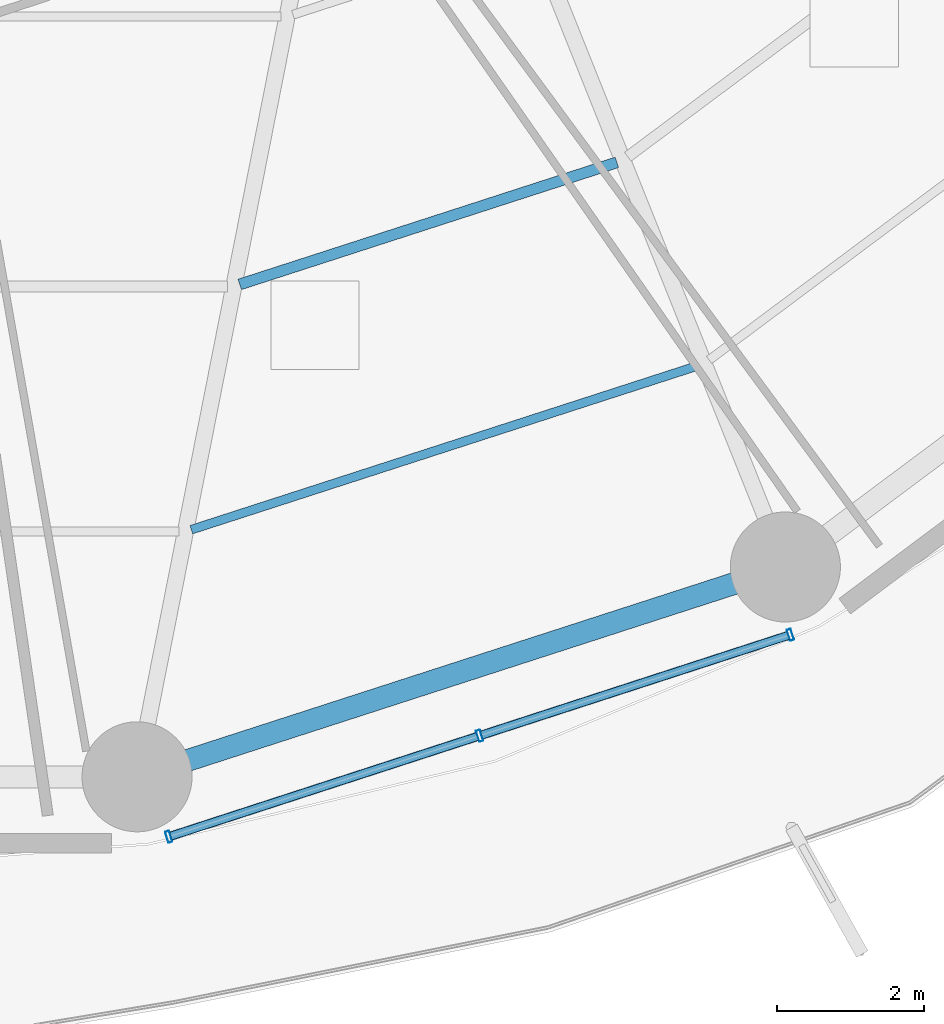
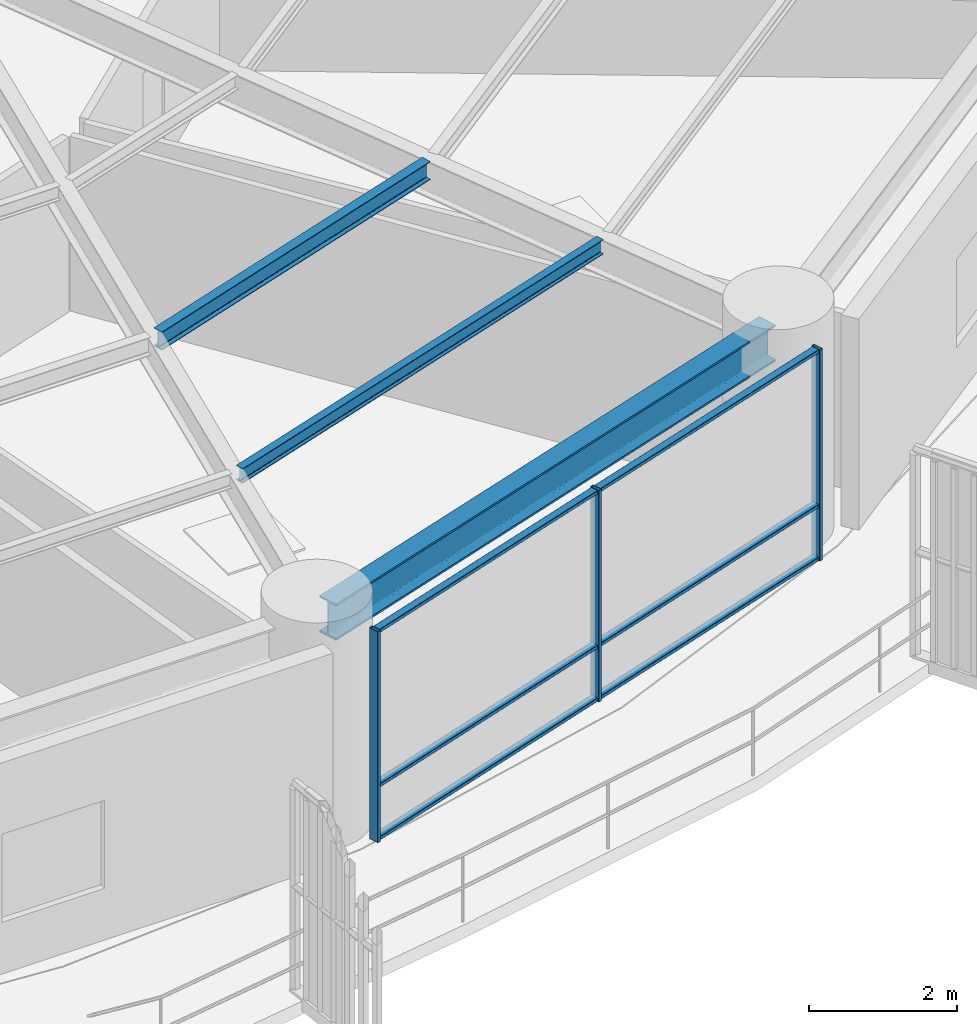
# One storey, part 8 of 34: 9 members, 3 beams, 1 element without a shape of its own.
"""IFC4 building model written with IfcOpenShell, lengths in metres."""

from ifc_helpers import new_model, si_unit, direction, frame, origin, origin_2d, place, context, subcontext, project, spatial, hollow_rectangle, i_section, extrude, material, layer, layer_set, material_profile, profile_set, type_object, element, aggregate, save


model = new_model("IFC4")

# Units and contexts
model_context = context("Model", 3, precision=1e-05, world=origin(), true_north=direction((0.0, 1.0)))
body_context = subcontext(model_context, "Body", "Model", "MODEL_VIEW")
ifc_project = project(units=[si_unit("LENGTHUNIT", "METRE"), si_unit("AREAUNIT", "SQUARE_METRE"), si_unit("VOLUMEUNIT", "CUBIC_METRE"), si_unit("PLANEANGLEUNIT", "RADIAN"), si_unit("MASSUNIT", "GRAM", prefix="KILO")], contexts=[model_context])

# Site, building, storey
site_placement = place(None, origin())
site = spatial("IfcSite", under=ifc_project, at=site_placement, CompositionType="ELEMENT")
building_placement = place(site_placement, origin())
building = spatial("IfcBuilding", under=site, at=building_placement, Name="Kelanora Arch Commons", CompositionType="ELEMENT")
storey_placement = place(building_placement, frame((0.0, 0.0, 33.75)))
storey = spatial("IfcBuildingStorey", under=building, at=storey_placement, Name="L08", CompositionType="ELEMENT", Elevation=33.75)

# Beams
ifc_material_1 = material(Name="Steel S355", Category="steel")
ifc_material_profile_1 = material_profile(ifc_material_1, i_section(OverallWidth=0.14990234375, OverallDepth=0.300048828125, WebThickness=0.007080078125, FlangeThickness=0.0107421875, FilletRadius=0.014892578125, at=origin_2d()), Name="IPE300")
ifc_profile_set_1 = profile_set([ifc_material_profile_1], Name="Steel S355")
beam_type_1 = type_object("IfcBeamType", Name="BM-JST-01", PredefinedType="JOIST", material=ifc_profile_set_1)
beam_1_placement = place(storey_placement, frame((80.102294921875, 40.997802734375, 3.340087890625), z_axis=(0.951412209627, 0.307920131482, 0.0), x_axis=(-0.307920131482, 0.951412209627, 0.0)))
element("IfcBeam", 1, at=beam_1_placement, inside=storey, type_object=beam_type_1, Name="Secondary Chord Joist BJB-28 L08", PredefinedType="JOIST", context=body_context, shape_type="SweptSolid", body=[
    extrude(i_section(OverallWidth=0.14990234375, OverallDepth=0.300048828125, WebThickness=0.007080078125, FlangeThickness=0.0107421875, FilletRadius=0.014892578125, at=origin_2d()), origin(), (0.0, 0.0, 1.0), 5.4033203125),
])
ifc_material_profile_2 = material_profile(ifc_material_1, i_section(OverallWidth=0.1201171875, OverallDepth=0.239990234375, WebThickness=0.006103515625, FlangeThickness=0.009765625, FilletRadius=0.014892578125, at=origin_2d()), Name="IPE240")
ifc_profile_set_2 = profile_set([ifc_material_profile_2], Name="Steel S355")
beam_type_2 = type_object("IfcBeamType", Name="BM-JST-02", PredefinedType="JOIST", material=ifc_profile_set_2)
beam_2_placement = place(storey_placement, frame((79.44287109375, 37.65478515625, 3.3701171875), z_axis=(0.951410915705, 0.307924129418, 0.0), x_axis=(-0.307924129418, 0.951410915705, 0.0)))
element("IfcBeam", 2, at=beam_2_placement, inside=storey, type_object=beam_type_2, Name="Secondary Chord Joist BJC-28 L08", PredefinedType="JOIST", context=body_context, shape_type="SweptSolid", body=[
    extrude(i_section(OverallWidth=0.1201171875, OverallDepth=0.239990234375, WebThickness=0.006103515625, FlangeThickness=0.009765625, FilletRadius=0.014892578125, at=origin_2d()), origin(), (0.0, 0.0, 1.0), 7.260986328125),
])
ifc_material_profile_3 = material_profile(ifc_material_1, i_section(OverallWidth=0.300048828125, OverallDepth=0.60009765625, WebThickness=0.015380859375, FlangeThickness=0.030029296875, FilletRadius=0.027099609375, at=origin_2d()), Name="HEB600")
ifc_profile_set_3 = profile_set([ifc_material_profile_3], Name="Steel S355")
beam_type_3 = type_object("IfcBeamType", Name="BM-SPN-Z1", PredefinedType="SPANDREL", material=ifc_profile_set_3)
beam_3_placement = place(storey_placement, frame((78.91162109375, 34.353515625, 3.18994140625), z_axis=(0.951411479564, 0.307922387224, 0.0), x_axis=(-0.307922387224, 0.951411479564, 0.0)))
element("IfcBeam", 3, at=beam_3_placement, inside=storey, type_object=beam_type_3, Name="Perimeter Spandrel Beam BS-28 L08", PredefinedType="SPANDREL", context=body_context, shape_type="SweptSolid", body=[
    extrude(i_section(OverallWidth=0.300048828125, OverallDepth=0.60009765625, WebThickness=0.015380859375, FlangeThickness=0.030029296875, FilletRadius=0.027099609375, at=origin_2d()), origin(), (0.0, 0.0, 1.0), 8.84912109375),
])

# Curtain wall, members
ifc_material_2 = material(Name="Terracotta ceramic-fritted low-E glass and aluminium", Category="masonry")
ifc_layer = layer(ifc_material_2, 0.159912109375)
ifc_layer_set = layer_set([ifc_layer], Name="Terracotta ceramic-fritted low-E glass and aluminium")
curtain_wall_type = type_object("IfcCurtainWallType", Name="CW-SYS-01", PredefinedType="NOTDEFINED", material=ifc_layer_set)
curtain_wall_placement = place(storey_placement, origin())
curtain_wall = element("IfcCurtainWall", 4, at=curtain_wall_placement, inside=storey, type_object=curtain_wall_type, Name="Unitised Curtain Wall L08-B14", PredefinedType="NOTDEFINED")
ifc_material_3 = material(Name="Powder-coated aluminium terracotta", Category="masonry")
ifc_material_profile_4 = material_profile(ifc_material_3, hollow_rectangle(XDim=0.159912109375, YDim=0.06005859375, WallThickness=0.0048828125, InnerFilletRadius=0.0048828125, OuterFilletRadius=0.010009765625, at=origin_2d()), Name="CWM160x60")
ifc_profile_set_4 = profile_set([ifc_material_profile_4], Name="Powder-coated aluminium terracotta")
member_type_1 = type_object("IfcMemberType", Name="CWM-STD", PredefinedType="MULLION", material=ifc_profile_set_4)
member_1_placement = place(storey_placement, frame((79.134521484375, 33.46826171875, 0.0), z_axis=(0.0, 0.0, 1.0), x_axis=(-0.30905758454, 0.951043326793, 0.0)))
member_1 = element("IfcMember", 5, at=member_1_placement, type_object=member_type_1, Name="CW-01 mullion 1", PredefinedType="MULLION", context=body_context, shape_type="SweptSolid", body=[
    extrude(hollow_rectangle(XDim=0.159912109375, YDim=0.06005859375, WallThickness=0.0048828125, InnerFilletRadius=0.0048828125, OuterFilletRadius=0.010009765625, at=origin_2d()), origin(), (0.0, 0.0, 1.0), 3.47509765625),
])
member_2_placement = place(storey_placement, frame((83.37109375, 34.84521484375, 0.0), z_axis=(0.0, 0.0, 1.0), x_axis=(-0.30905758454, 0.951043326793, 0.0)))
member_2 = element("IfcMember", 6, at=member_2_placement, type_object=member_type_1, Name="CW-01 mullion 2", PredefinedType="MULLION", context=body_context, shape_type="SweptSolid", body=[
    extrude(hollow_rectangle(XDim=0.159912109375, YDim=0.06005859375, WallThickness=0.0048828125, InnerFilletRadius=0.0048828125, OuterFilletRadius=0.010009765625, at=origin_2d()), origin(), (0.0, 0.0, 1.0), 3.47509765625),
])
member_3_placement = place(storey_placement, frame((87.607666015625, 36.221923828125, 0.0), z_axis=(0.0, 0.0, 1.0), x_axis=(-0.30905758454, 0.951043326793, 0.0)))
member_3 = element("IfcMember", 7, at=member_3_placement, type_object=member_type_1, Name="CW-01 mullion 3", PredefinedType="MULLION", context=body_context, shape_type="SweptSolid", body=[
    extrude(hollow_rectangle(XDim=0.159912109375, YDim=0.06005859375, WallThickness=0.0048828125, InnerFilletRadius=0.0048828125, OuterFilletRadius=0.010009765625, at=origin_2d()), origin(), (0.0, 0.0, 1.0), 3.47509765625),
])
ifc_material_profile_5 = material_profile(ifc_material_3, hollow_rectangle(XDim=0.1201171875, YDim=0.06005859375, WallThickness=0.0048828125, InnerFilletRadius=0.0048828125, OuterFilletRadius=0.010009765625, at=origin_2d()), Name="CWT120x60")
ifc_profile_set_5 = profile_set([ifc_material_profile_5], Name="Powder-coated aluminium terracotta")
member_type_2 = type_object("IfcMemberType", Name="CWT-STD", PredefinedType="USERDEFINED", material=ifc_profile_set_5)
member_4_placement = place(storey_placement, frame((79.1630859375, 33.4775390625, 0.030029296875), z_axis=(0.951028761285, 0.309102402464, 0.0), x_axis=(-0.309102402464, 0.951028761285, 0.0)))
member_4 = element("IfcMember", 8, at=member_4_placement, type_object=member_type_2, Name="CW-01 transom 1.1", ObjectType="TRANSOM", PredefinedType="USERDEFINED", context=body_context, shape_type="SweptSolid", body=[
    extrude(hollow_rectangle(XDim=0.1201171875, YDim=0.06005859375, WallThickness=0.0048828125, InnerFilletRadius=0.0048828125, OuterFilletRadius=0.010009765625, at=origin_2d()), origin(), (0.0, 0.0, 1.0), 4.394775390625),
])
member_5_placement = place(storey_placement, frame((79.1630859375, 33.4775390625, 0.89990234375), z_axis=(0.951028761285, 0.309102402464, 0.0), x_axis=(-0.309102402464, 0.951028761285, 0.0)))
member_5 = element("IfcMember", 9, at=member_5_placement, type_object=member_type_2, Name="CW-01 transom 1.2", ObjectType="TRANSOM", PredefinedType="USERDEFINED", context=body_context, shape_type="SweptSolid", body=[
    extrude(hollow_rectangle(XDim=0.1201171875, YDim=0.06005859375, WallThickness=0.0048828125, InnerFilletRadius=0.0048828125, OuterFilletRadius=0.010009765625, at=origin_2d()), origin(), (0.0, 0.0, 1.0), 4.394775390625),
])
member_6_placement = place(storey_placement, frame((79.1630859375, 33.4775390625, 3.445068359375), z_axis=(0.951028761285, 0.309102402464, 0.0), x_axis=(-0.309102402464, 0.951028761285, 0.0)))
member_6 = element("IfcMember", 10, at=member_6_placement, type_object=member_type_2, Name="CW-01 transom 1.3", ObjectType="TRANSOM", PredefinedType="USERDEFINED", context=body_context, shape_type="SweptSolid", body=[
    extrude(hollow_rectangle(XDim=0.1201171875, YDim=0.06005859375, WallThickness=0.0048828125, InnerFilletRadius=0.0048828125, OuterFilletRadius=0.010009765625, at=origin_2d()), origin(), (0.0, 0.0, 1.0), 4.394775390625),
])
member_7_placement = place(storey_placement, frame((83.399658203125, 34.8544921875, 0.030029296875), z_axis=(0.951045091182, 0.309052155047, 0.0), x_axis=(-0.309052155047, 0.951045091182, 0.0)))
member_7 = element("IfcMember", 11, at=member_7_placement, type_object=member_type_2, Name="CW-01 transom 2.1", ObjectType="TRANSOM", PredefinedType="USERDEFINED", context=body_context, shape_type="SweptSolid", body=[
    extrude(hollow_rectangle(XDim=0.1201171875, YDim=0.06005859375, WallThickness=0.0048828125, InnerFilletRadius=0.0048828125, OuterFilletRadius=0.010009765625, at=origin_2d()), origin(), (0.0, 0.0, 1.0), 4.39453125),
])
member_8_placement = place(storey_placement, frame((83.399658203125, 34.8544921875, 0.89990234375), z_axis=(0.951045091182, 0.309052155047, 0.0), x_axis=(-0.309052155047, 0.951045091182, 0.0)))
member_8 = element("IfcMember", 12, at=member_8_placement, type_object=member_type_2, Name="CW-01 transom 2.2", ObjectType="TRANSOM", PredefinedType="USERDEFINED", context=body_context, shape_type="SweptSolid", body=[
    extrude(hollow_rectangle(XDim=0.1201171875, YDim=0.06005859375, WallThickness=0.0048828125, InnerFilletRadius=0.0048828125, OuterFilletRadius=0.010009765625, at=origin_2d()), origin(), (0.0, 0.0, 1.0), 4.39453125),
])
member_9_placement = place(storey_placement, frame((83.399658203125, 34.8544921875, 3.445068359375), z_axis=(0.951045091182, 0.309052155047, 0.0), x_axis=(-0.309052155047, 0.951045091182, 0.0)))
member_9 = element("IfcMember", 13, at=member_9_placement, type_object=member_type_2, Name="CW-01 transom 2.3", ObjectType="TRANSOM", PredefinedType="USERDEFINED", context=body_context, shape_type="SweptSolid", body=[
    extrude(hollow_rectangle(XDim=0.1201171875, YDim=0.06005859375, WallThickness=0.0048828125, InnerFilletRadius=0.0048828125, OuterFilletRadius=0.010009765625, at=origin_2d()), origin(), (0.0, 0.0, 1.0), 4.39453125),
])
aggregate(curtain_wall, [member_1, member_2, member_3, member_4, member_5, member_6, member_7, member_8, member_9])

save(model, "model.ifc")
